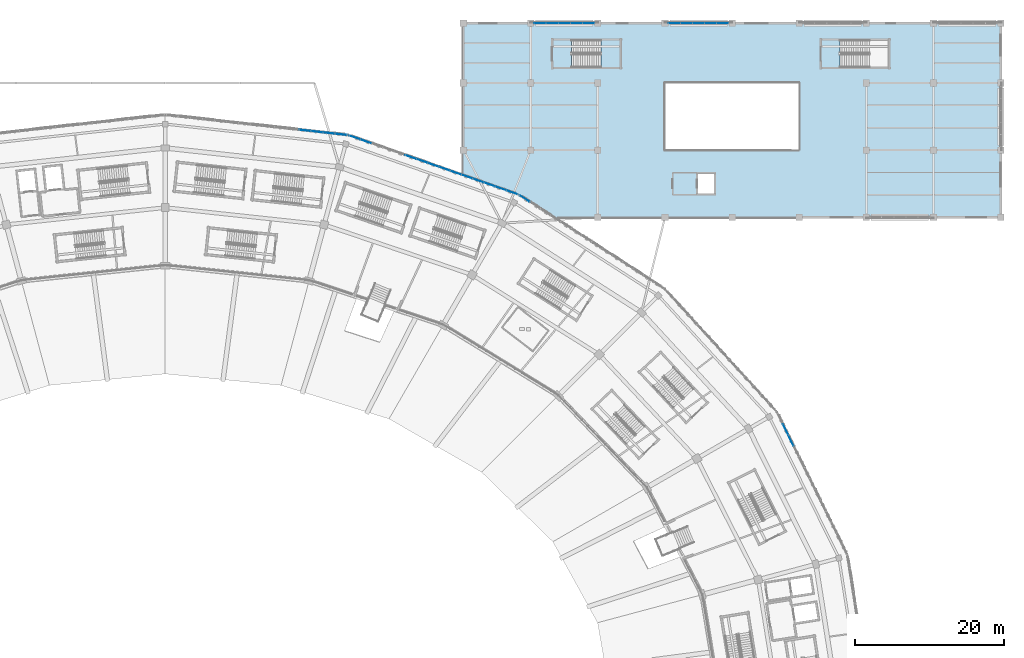
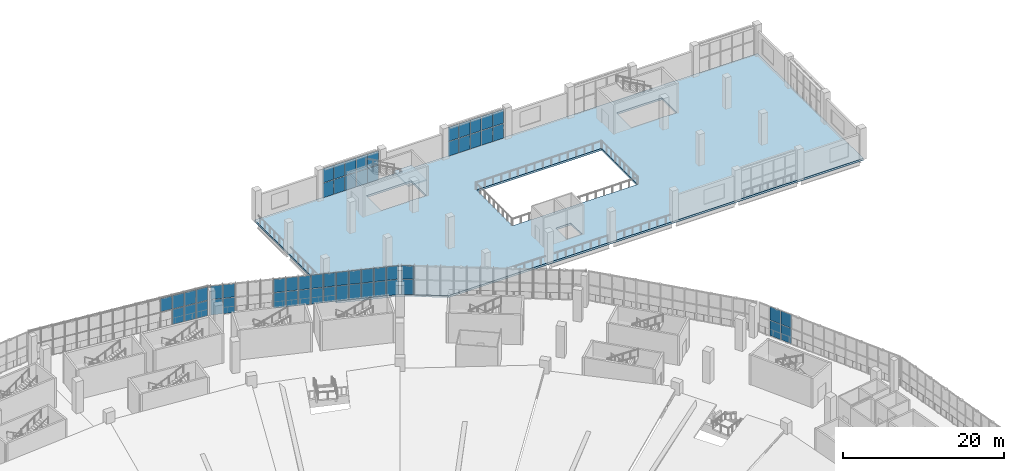
# One storey, part 95 of 183: 57 plates, 2 slabs, 7 elements without a shape of their own.
"""IFC4 building model written with IfcOpenShell, lengths in metres."""

from ifc_helpers import new_model, si_unit, direction, frame, origin, origin_2d, place, context, subcontext, project, spatial, polyline, rectangle, outline, extrude, material, layer, layer_set, type_object, element, aggregate, save


model = new_model("IFC4")

# Units and contexts
model_context = context("Model", 3, precision=1e-05, world=origin(), true_north=direction((0.0, 1.0)))
body_context = subcontext(model_context, "Body", "Model", "MODEL_VIEW")
ifc_project = project(units=[si_unit("LENGTHUNIT", "METRE"), si_unit("AREAUNIT", "SQUARE_METRE"), si_unit("VOLUMEUNIT", "CUBIC_METRE"), si_unit("PLANEANGLEUNIT", "RADIAN"), si_unit("MASSUNIT", "GRAM", prefix="KILO")], contexts=[model_context])

# Site, building, storey
site_placement = place(None, origin())
site = spatial("IfcSite", under=ifc_project, at=site_placement, CompositionType="ELEMENT")
building_placement = place(site_placement, origin())
building = spatial("IfcBuilding", under=site, at=building_placement, Name="Zevraka Park Crest Stadium", CompositionType="ELEMENT")
storey_placement = place(building_placement, frame((0.0, 0.0, 5.39990234375)))
storey = spatial("IfcBuildingStorey", under=building, at=storey_placement, Name="L01", CompositionType="ELEMENT", Elevation=5.39990234375)

# Curtain wall, plates
ifc_material_1 = material(Name="Anodised architectural aluminium and laminated safety glass", Category="aluminium")
curtain_wall_type_1 = type_object("IfcCurtainWallType", Name="CW01", PredefinedType="NOTDEFINED", material=ifc_material_1)
curtain_wall_1_placement = place(storey_placement, origin())
curtain_wall_1 = element("IfcCurtainWall", 1, at=curtain_wall_1_placement, inside=storey, type_object=curtain_wall_type_1, Name="Unitised Ring Curtain Wall CW01 L01-05", PredefinedType="NOTDEFINED")
ifc_material_2 = material(Name="Solar-control laminated double glazing", Category="glass")
ifc_layer_1 = layer(ifc_material_2, 0.028076171875)
ifc_layer_set_1 = layer_set([ifc_layer_1], Name="Solar-control laminated double glazing")
plate_type_1 = type_object("IfcPlateType", Name="CP01", PredefinedType="CURTAIN_PANEL", material=ifc_layer_set_1)
plate_1_placement = place(storey_placement, frame((135.564453125, 169.108154296875, 0.06005859375), z_axis=(0.0, 0.0, 1.0), x_axis=(-0.993916668414, 0.110134718639, 0.0)))
plate_1 = element("IfcPlate", 2, at=plate_1_placement, type_object=plate_type_1, Name="CW01 panel 1.1", PredefinedType="CURTAIN_PANEL", context=body_context, shape_type="SweptSolid", body=[
    extrude(rectangle(XDim=1.537109375, YDim=0.028076171875, at=origin_2d()), origin(), (0.0, 0.0, 1.0), 2.31005859375),
])
plate_2_placement = place(storey_placement, frame((135.564453125, 169.108154296875, 2.43017578125), z_axis=(0.0, 0.0, 1.0), x_axis=(-0.993916668414, 0.110134718639, 0.0)))
plate_2 = element("IfcPlate", 3, at=plate_2_placement, type_object=plate_type_1, Name="CW01 panel 1.2", PredefinedType="CURTAIN_PANEL", context=body_context, shape_type="SweptSolid", body=[
    extrude(rectangle(XDim=1.537109375, YDim=0.028076171875, at=origin_2d()), origin(), (0.0, 0.0, 1.0), 2.030029296875),
])
plate_3_placement = place(storey_placement, frame((133.962158203125, 169.285888671875, 0.06005859375), z_axis=(0.0, 0.0, 1.0), x_axis=(-0.993916668414, 0.110134718639, 0.0)))
plate_3 = element("IfcPlate", 4, at=plate_3_placement, type_object=plate_type_1, Name="CW01 panel 2.1", PredefinedType="CURTAIN_PANEL", context=body_context, shape_type="SweptSolid", body=[
    extrude(rectangle(XDim=1.567138671875, YDim=0.028076171875, at=origin_2d()), origin(), (0.0, 0.0, 1.0), 2.31005859375),
])
plate_4_placement = place(storey_placement, frame((133.962158203125, 169.285888671875, 2.43017578125), z_axis=(0.0, 0.0, 1.0), x_axis=(-0.993916668414, 0.110134718639, 0.0)))
plate_4 = element("IfcPlate", 5, at=plate_4_placement, type_object=plate_type_1, Name="CW01 panel 2.2", PredefinedType="CURTAIN_PANEL", context=body_context, shape_type="SweptSolid", body=[
    extrude(rectangle(XDim=1.567138671875, YDim=0.028076171875, at=origin_2d()), origin(), (0.0, 0.0, 1.0), 2.030029296875),
])
plate_5_placement = place(storey_placement, frame((132.344970703125, 169.465087890625, 0.06005859375), z_axis=(0.0, 0.0, 1.0), x_axis=(-0.993916668414, 0.110134718639, 0.0)))
plate_5 = element("IfcPlate", 6, at=plate_5_placement, type_object=plate_type_1, Name="CW01 panel 3.1", PredefinedType="CURTAIN_PANEL", context=body_context, shape_type="SweptSolid", body=[
    extrude(rectangle(XDim=1.567138671875, YDim=0.028076171875, at=origin_2d()), origin(), (0.0, 0.0, 1.0), 2.31005859375),
])
plate_6_placement = place(storey_placement, frame((132.344970703125, 169.465087890625, 2.43017578125), z_axis=(0.0, 0.0, 1.0), x_axis=(-0.993916668414, 0.110134718639, 0.0)))
plate_6 = element("IfcPlate", 7, at=plate_6_placement, type_object=plate_type_1, Name="CW01 panel 3.2", PredefinedType="CURTAIN_PANEL", context=body_context, shape_type="SweptSolid", body=[
    extrude(rectangle(XDim=1.567138671875, YDim=0.028076171875, at=origin_2d()), origin(), (0.0, 0.0, 1.0), 2.030029296875),
])
plate_7_placement = place(storey_placement, frame((130.727783203125, 169.644287109375, 2.43017578125), z_axis=(0.0, 0.0, 1.0), x_axis=(-0.993916668414, 0.110134718639, 0.0)))
plate_7 = element("IfcPlate", 8, at=plate_7_placement, type_object=plate_type_1, Name="CW01 panel 4.2", PredefinedType="CURTAIN_PANEL", context=body_context, shape_type="SweptSolid", body=[
    extrude(rectangle(XDim=1.567138671875, YDim=0.028076171875, at=origin_2d()), origin(), (0.0, 0.0, 1.0), 2.030029296875),
])
aggregate(curtain_wall_1, [plate_1, plate_2, plate_3, plate_4, plate_5, plate_6, plate_7])

ifc_material_3 = material(Name="Anodised architectural aluminium and laminated safety glass", Category="aluminium")
curtain_wall_type_2 = type_object("IfcCurtainWallType", Name="CW02", PredefinedType="NOTDEFINED", material=ifc_material_3)
curtain_wall_2_placement = place(storey_placement, origin())
curtain_wall_2 = element("IfcCurtainWall", 9, at=curtain_wall_2_placement, inside=storey, type_object=curtain_wall_type_2, Name="Unitised Ring Curtain Wall CW02 L01-01", PredefinedType="NOTDEFINED")
ifc_material_4 = material(Name="Solar-control laminated double glazing", Category="glass")
ifc_layer_2 = layer(ifc_material_4, 0.028076171875)
ifc_layer_set_2 = layer_set([ifc_layer_2], Name="Solar-control laminated double glazing")
plate_type_2 = type_object("IfcPlateType", Name="CP02", PredefinedType="CURTAIN_PANEL", material=ifc_layer_set_2)
plate_8_placement = place(storey_placement, frame((195.886474609375, 128.086181640625, 0.06494140625), z_axis=(0.0, 0.0, 1.0), x_axis=(-0.44151730924, 0.897252732312, 0.0)))
plate_8 = element("IfcPlate", 10, at=plate_8_placement, type_object=plate_type_2, Name="CW02 panel 11.1", PredefinedType="CURTAIN_PANEL", context=body_context, shape_type="SweptSolid", body=[
    extrude(rectangle(XDim=1.5634765625, YDim=0.028076171875, at=origin_2d()), origin(), (0.0, 0.0, 1.0), 2.302490234375),
])
plate_9_placement = place(storey_placement, frame((195.886474609375, 128.086181640625, 2.4326171875), z_axis=(0.0, 0.0, 1.0), x_axis=(-0.44151730924, 0.897252732312, 0.0)))
plate_9 = element("IfcPlate", 11, at=plate_9_placement, type_object=plate_type_2, Name="CW02 panel 11.2", PredefinedType="CURTAIN_PANEL", context=body_context, shape_type="SweptSolid", body=[
    extrude(rectangle(XDim=1.5634765625, YDim=0.028076171875, at=origin_2d()), origin(), (0.0, 0.0, 1.0), 2.0224609375),
])
plate_10_placement = place(storey_placement, frame((195.16748046875, 129.54736328125, 0.06494140625), z_axis=(0.0, 0.0, 1.0), x_axis=(-0.44151730924, 0.897252732312, 0.0)))
plate_10 = element("IfcPlate", 12, at=plate_10_placement, type_object=plate_type_2, Name="CW02 panel 12.1", PredefinedType="CURTAIN_PANEL", context=body_context, shape_type="SweptSolid", body=[
    extrude(rectangle(XDim=1.5634765625, YDim=0.028076171875, at=origin_2d()), origin(), (0.0, 0.0, 1.0), 2.302490234375),
])
plate_11_placement = place(storey_placement, frame((195.16748046875, 129.54736328125, 2.4326171875), z_axis=(0.0, 0.0, 1.0), x_axis=(-0.44151730924, 0.897252732312, 0.0)))
plate_11 = element("IfcPlate", 13, at=plate_11_placement, type_object=plate_type_2, Name="CW02 panel 12.2", PredefinedType="CURTAIN_PANEL", context=body_context, shape_type="SweptSolid", body=[
    extrude(rectangle(XDim=1.5634765625, YDim=0.028076171875, at=origin_2d()), origin(), (0.0, 0.0, 1.0), 2.0224609375),
])
aggregate(curtain_wall_2, [plate_8, plate_9, plate_10, plate_11])

curtain_wall_3_placement = place(storey_placement, origin())
curtain_wall_3 = element("IfcCurtainWall", 14, at=curtain_wall_3_placement, inside=storey, type_object=curtain_wall_type_2, Name="Unitised Ring Curtain Wall CW02 L01-04", PredefinedType="NOTDEFINED")
plate_12_placement = place(storey_placement, frame((158.472412109375, 161.347900390625, 0.06494140625), z_axis=(0.0, 0.0, 1.0), x_axis=(-0.944256979565, 0.329209289879, 0.0)))
plate_12 = element("IfcPlate", 15, at=plate_12_placement, type_object=plate_type_2, Name="CW02 panel 1.1", PredefinedType="CURTAIN_PANEL", context=body_context, shape_type="SweptSolid", body=[
    extrude(rectangle(XDim=1.498046875, YDim=0.028076171875, at=origin_2d()), origin(), (0.0, 0.0, 1.0), 2.302490234375),
])
plate_13_placement = place(storey_placement, frame((158.472412109375, 161.347900390625, 2.4326171875), z_axis=(0.0, 0.0, 1.0), x_axis=(-0.944256979565, 0.329209289879, 0.0)))
plate_13 = element("IfcPlate", 16, at=plate_13_placement, type_object=plate_type_2, Name="CW02 panel 1.2", PredefinedType="CURTAIN_PANEL", context=body_context, shape_type="SweptSolid", body=[
    extrude(rectangle(XDim=1.498046875, YDim=0.028076171875, at=origin_2d()), origin(), (0.0, 0.0, 1.0), 2.0224609375),
])
plate_14_placement = place(storey_placement, frame((156.981201171875, 161.867919921875, 0.06494140625), z_axis=(0.0, 0.0, 1.0), x_axis=(-0.944256979565, 0.329209289879, 0.0)))
plate_14 = element("IfcPlate", 17, at=plate_14_placement, type_object=plate_type_2, Name="CW02 panel 2.1", PredefinedType="CURTAIN_PANEL", context=body_context, shape_type="SweptSolid", body=[
    extrude(rectangle(XDim=1.530517578125, YDim=0.028076171875, at=origin_2d()), origin(), (0.0, 0.0, 1.0), 2.302490234375),
])
plate_15_placement = place(storey_placement, frame((156.981201171875, 161.867919921875, 2.4326171875), z_axis=(0.0, 0.0, 1.0), x_axis=(-0.944256979565, 0.329209289879, 0.0)))
plate_15 = element("IfcPlate", 18, at=plate_15_placement, type_object=plate_type_2, Name="CW02 panel 2.2", PredefinedType="CURTAIN_PANEL", context=body_context, shape_type="SweptSolid", body=[
    extrude(rectangle(XDim=1.530517578125, YDim=0.028076171875, at=origin_2d()), origin(), (0.0, 0.0, 1.0), 2.0224609375),
])
plate_16_placement = place(storey_placement, frame((155.474609375, 162.39306640625, 0.06494140625), z_axis=(0.0, 0.0, 1.0), x_axis=(-0.944256979565, 0.329209289879, 0.0)))
plate_16 = element("IfcPlate", 19, at=plate_16_placement, type_object=plate_type_2, Name="CW02 panel 3.1", PredefinedType="CURTAIN_PANEL", context=body_context, shape_type="SweptSolid", body=[
    extrude(rectangle(XDim=1.530517578125, YDim=0.028076171875, at=origin_2d()), origin(), (0.0, 0.0, 1.0), 2.302490234375),
])
plate_17_placement = place(storey_placement, frame((155.474609375, 162.39306640625, 2.4326171875), z_axis=(0.0, 0.0, 1.0), x_axis=(-0.944256979565, 0.329209289879, 0.0)))
plate_17 = element("IfcPlate", 20, at=plate_17_placement, type_object=plate_type_2, Name="CW02 panel 3.2", PredefinedType="CURTAIN_PANEL", context=body_context, shape_type="SweptSolid", body=[
    extrude(rectangle(XDim=1.530517578125, YDim=0.028076171875, at=origin_2d()), origin(), (0.0, 0.0, 1.0), 2.0224609375),
])
plate_18_placement = place(storey_placement, frame((153.968017578125, 162.91845703125, 0.06494140625), z_axis=(0.0, 0.0, 1.0), x_axis=(-0.944256979565, 0.329209289879, 0.0)))
plate_18 = element("IfcPlate", 21, at=plate_18_placement, type_object=plate_type_2, Name="CW02 panel 4.1", PredefinedType="CURTAIN_PANEL", context=body_context, shape_type="SweptSolid", body=[
    extrude(rectangle(XDim=1.530517578125, YDim=0.028076171875, at=origin_2d()), origin(), (0.0, 0.0, 1.0), 2.302490234375),
])
plate_19_placement = place(storey_placement, frame((153.968017578125, 162.91845703125, 2.4326171875), z_axis=(0.0, 0.0, 1.0), x_axis=(-0.944256979565, 0.329209289879, 0.0)))
plate_19 = element("IfcPlate", 22, at=plate_19_placement, type_object=plate_type_2, Name="CW02 panel 4.2", PredefinedType="CURTAIN_PANEL", context=body_context, shape_type="SweptSolid", body=[
    extrude(rectangle(XDim=1.530517578125, YDim=0.028076171875, at=origin_2d()), origin(), (0.0, 0.0, 1.0), 2.0224609375),
])
plate_20_placement = place(storey_placement, frame((152.461181640625, 163.443603515625, 0.06494140625), z_axis=(0.0, 0.0, 1.0), x_axis=(-0.944256979565, 0.329209289879, 0.0)))
plate_20 = element("IfcPlate", 23, at=plate_20_placement, type_object=plate_type_2, Name="CW02 panel 5.1", PredefinedType="CURTAIN_PANEL", context=body_context, shape_type="SweptSolid", body=[
    extrude(rectangle(XDim=1.530517578125, YDim=0.028076171875, at=origin_2d()), origin(), (0.0, 0.0, 1.0), 2.302490234375),
])
plate_21_placement = place(storey_placement, frame((152.461181640625, 163.443603515625, 2.4326171875), z_axis=(0.0, 0.0, 1.0), x_axis=(-0.944256979565, 0.329209289879, 0.0)))
plate_21 = element("IfcPlate", 24, at=plate_21_placement, type_object=plate_type_2, Name="CW02 panel 5.2", PredefinedType="CURTAIN_PANEL", context=body_context, shape_type="SweptSolid", body=[
    extrude(rectangle(XDim=1.530517578125, YDim=0.028076171875, at=origin_2d()), origin(), (0.0, 0.0, 1.0), 2.0224609375),
])
plate_22_placement = place(storey_placement, frame((150.95458984375, 163.968994140625, 0.06494140625), z_axis=(0.0, 0.0, 1.0), x_axis=(-0.944256979565, 0.329209289879, 0.0)))
plate_22 = element("IfcPlate", 25, at=plate_22_placement, type_object=plate_type_2, Name="CW02 panel 6.1", PredefinedType="CURTAIN_PANEL", context=body_context, shape_type="SweptSolid", body=[
    extrude(rectangle(XDim=1.530517578125, YDim=0.028076171875, at=origin_2d()), origin(), (0.0, 0.0, 1.0), 2.302490234375),
])
plate_23_placement = place(storey_placement, frame((150.95458984375, 163.968994140625, 2.4326171875), z_axis=(0.0, 0.0, 1.0), x_axis=(-0.944256979565, 0.329209289879, 0.0)))
plate_23 = element("IfcPlate", 26, at=plate_23_placement, type_object=plate_type_2, Name="CW02 panel 6.2", PredefinedType="CURTAIN_PANEL", context=body_context, shape_type="SweptSolid", body=[
    extrude(rectangle(XDim=1.530517578125, YDim=0.028076171875, at=origin_2d()), origin(), (0.0, 0.0, 1.0), 2.0224609375),
])
plate_24_placement = place(storey_placement, frame((149.447998046875, 164.494140625, 0.06494140625), z_axis=(0.0, 0.0, 1.0), x_axis=(-0.944256979565, 0.329209289879, 0.0)))
plate_24 = element("IfcPlate", 27, at=plate_24_placement, type_object=plate_type_2, Name="CW02 panel 7.1", PredefinedType="CURTAIN_PANEL", context=body_context, shape_type="SweptSolid", body=[
    extrude(rectangle(XDim=1.530517578125, YDim=0.028076171875, at=origin_2d()), origin(), (0.0, 0.0, 1.0), 2.302490234375),
])
plate_25_placement = place(storey_placement, frame((149.447998046875, 164.494140625, 2.4326171875), z_axis=(0.0, 0.0, 1.0), x_axis=(-0.944256979565, 0.329209289879, 0.0)))
plate_25 = element("IfcPlate", 28, at=plate_25_placement, type_object=plate_type_2, Name="CW02 panel 7.2", PredefinedType="CURTAIN_PANEL", context=body_context, shape_type="SweptSolid", body=[
    extrude(rectangle(XDim=1.530517578125, YDim=0.028076171875, at=origin_2d()), origin(), (0.0, 0.0, 1.0), 2.0224609375),
])
plate_26_placement = place(storey_placement, frame((147.94140625, 165.01953125, 0.06494140625), z_axis=(0.0, 0.0, 1.0), x_axis=(-0.944256979565, 0.329209289879, 0.0)))
plate_26 = element("IfcPlate", 29, at=plate_26_placement, type_object=plate_type_2, Name="CW02 panel 8.1", PredefinedType="CURTAIN_PANEL", context=body_context, shape_type="SweptSolid", body=[
    extrude(rectangle(XDim=1.530517578125, YDim=0.028076171875, at=origin_2d()), origin(), (0.0, 0.0, 1.0), 2.302490234375),
])
plate_27_placement = place(storey_placement, frame((147.94140625, 165.01953125, 2.4326171875), z_axis=(0.0, 0.0, 1.0), x_axis=(-0.944256979565, 0.329209289879, 0.0)))
plate_27 = element("IfcPlate", 30, at=plate_27_placement, type_object=plate_type_2, Name="CW02 panel 8.2", PredefinedType="CURTAIN_PANEL", context=body_context, shape_type="SweptSolid", body=[
    extrude(rectangle(XDim=1.530517578125, YDim=0.028076171875, at=origin_2d()), origin(), (0.0, 0.0, 1.0), 2.0224609375),
])
plate_28_placement = place(storey_placement, frame((146.434814453125, 165.544677734375, 0.06494140625), z_axis=(0.0, 0.0, 1.0), x_axis=(-0.944256979565, 0.329209289879, 0.0)))
plate_28 = element("IfcPlate", 31, at=plate_28_placement, type_object=plate_type_2, Name="CW02 panel 9.1", PredefinedType="CURTAIN_PANEL", context=body_context, shape_type="SweptSolid", body=[
    extrude(rectangle(XDim=1.530517578125, YDim=0.028076171875, at=origin_2d()), origin(), (0.0, 0.0, 1.0), 2.302490234375),
])
plate_29_placement = place(storey_placement, frame((146.434814453125, 165.544677734375, 2.4326171875), z_axis=(0.0, 0.0, 1.0), x_axis=(-0.944256979565, 0.329209289879, 0.0)))
plate_29 = element("IfcPlate", 32, at=plate_29_placement, type_object=plate_type_2, Name="CW02 panel 9.2", PredefinedType="CURTAIN_PANEL", context=body_context, shape_type="SweptSolid", body=[
    extrude(rectangle(XDim=1.530517578125, YDim=0.028076171875, at=origin_2d()), origin(), (0.0, 0.0, 1.0), 2.0224609375),
])
plate_30_placement = place(storey_placement, frame((144.92822265625, 166.070068359375, 0.06494140625), z_axis=(0.0, 0.0, 1.0), x_axis=(-0.944256979565, 0.329209289879, 0.0)))
plate_30 = element("IfcPlate", 33, at=plate_30_placement, type_object=plate_type_2, Name="CW02 panel 10.1", PredefinedType="CURTAIN_PANEL", context=body_context, shape_type="SweptSolid", body=[
    extrude(rectangle(XDim=1.530517578125, YDim=0.028076171875, at=origin_2d()), origin(), (0.0, 0.0, 1.0), 2.302490234375),
])
plate_31_placement = place(storey_placement, frame((144.92822265625, 166.070068359375, 2.4326171875), z_axis=(0.0, 0.0, 1.0), x_axis=(-0.944256979565, 0.329209289879, 0.0)))
plate_31 = element("IfcPlate", 34, at=plate_31_placement, type_object=plate_type_2, Name="CW02 panel 10.2", PredefinedType="CURTAIN_PANEL", context=body_context, shape_type="SweptSolid", body=[
    extrude(rectangle(XDim=1.530517578125, YDim=0.028076171875, at=origin_2d()), origin(), (0.0, 0.0, 1.0), 2.0224609375),
])
plate_32_placement = place(storey_placement, frame((138.90185546875, 168.171142578125, 0.06494140625), z_axis=(0.0, 0.0, 1.0), x_axis=(-0.944256979565, 0.329209289879, 0.0)))
plate_32 = element("IfcPlate", 35, at=plate_32_placement, type_object=plate_type_2, Name="CW02 panel 14.1", PredefinedType="CURTAIN_PANEL", context=body_context, shape_type="SweptSolid", body=[
    extrude(rectangle(XDim=1.530517578125, YDim=0.028076171875, at=origin_2d()), origin(), (0.0, 0.0, 1.0), 2.302490234375),
])
plate_33_placement = place(storey_placement, frame((138.90185546875, 168.171142578125, 2.4326171875), z_axis=(0.0, 0.0, 1.0), x_axis=(-0.944256979565, 0.329209289879, 0.0)))
plate_33 = element("IfcPlate", 36, at=plate_33_placement, type_object=plate_type_2, Name="CW02 panel 14.2", PredefinedType="CURTAIN_PANEL", context=body_context, shape_type="SweptSolid", body=[
    extrude(rectangle(XDim=1.530517578125, YDim=0.028076171875, at=origin_2d()), origin(), (0.0, 0.0, 1.0), 2.0224609375),
])
plate_34_placement = place(storey_placement, frame((137.41064453125, 168.69091796875, 0.06494140625), z_axis=(0.0, 0.0, 1.0), x_axis=(-0.944256979565, 0.329209289879, 0.0)))
plate_34 = element("IfcPlate", 37, at=plate_34_placement, type_object=plate_type_2, Name="CW02 panel 15.1", PredefinedType="CURTAIN_PANEL", context=body_context, shape_type="SweptSolid", body=[
    extrude(rectangle(XDim=1.498046875, YDim=0.028076171875, at=origin_2d()), origin(), (0.0, 0.0, 1.0), 2.302490234375),
])
plate_35_placement = place(storey_placement, frame((137.41064453125, 168.69091796875, 2.4326171875), z_axis=(0.0, 0.0, 1.0), x_axis=(-0.944256979565, 0.329209289879, 0.0)))
plate_35 = element("IfcPlate", 38, at=plate_35_placement, type_object=plate_type_2, Name="CW02 panel 15.2", PredefinedType="CURTAIN_PANEL", context=body_context, shape_type="SweptSolid", body=[
    extrude(rectangle(XDim=1.498046875, YDim=0.028076171875, at=origin_2d()), origin(), (0.0, 0.0, 1.0), 2.0224609375),
])
aggregate(curtain_wall_3, [plate_12, plate_13, plate_14, plate_15, plate_16, plate_17, plate_18, plate_19, plate_20, plate_21, plate_22, plate_23, plate_24, plate_25, plate_26, plate_27, plate_28, plate_29, plate_30, plate_31, plate_32, plate_33, plate_34, plate_35])

ifc_material_5 = material(Name="Anodised architectural aluminium and laminated safety glass", Category="aluminium")
curtain_wall_type_3 = type_object("IfcCurtainWallType", Name="CW03", PredefinedType="NOTDEFINED", material=ifc_material_5)
curtain_wall_4_placement = place(storey_placement, origin())
curtain_wall_4 = element("IfcCurtainWall", 39, at=curtain_wall_4_placement, inside=storey, type_object=curtain_wall_type_3, Name="Unitised Ring Curtain Wall CW03 L01-03", PredefinedType="NOTDEFINED")
ifc_material_6 = material(Name="Solar-control laminated double glazing", Category="glass")
ifc_layer_3 = layer(ifc_material_6, 0.028076171875)
ifc_layer_set_3 = layer_set([ifc_layer_3], Name="Solar-control laminated double glazing")
plate_type_3 = type_object("IfcPlateType", Name="CP03", PredefinedType="CURTAIN_PANEL", material=ifc_layer_set_3)
plate_36_placement = place(storey_placement, frame((160.181640625, 160.509033203125, 0.070068359375), z_axis=(0.0, 0.0, 1.0), x_axis=(-0.840010186018, 0.542570628938, 0.0)))
plate_36 = element("IfcPlate", 40, at=plate_36_placement, type_object=plate_type_3, Name="CW03 panel 14.1", PredefinedType="CURTAIN_PANEL", context=body_context, shape_type="SweptSolid", body=[
    extrude(rectangle(XDim=1.54443359375, YDim=0.028076171875, at=origin_2d()), origin(), (0.0, 0.0, 1.0), 2.294921875),
])
plate_37_placement = place(storey_placement, frame((160.181640625, 160.509033203125, 2.43505859375), z_axis=(0.0, 0.0, 1.0), x_axis=(-0.840010186018, 0.542570628938, 0.0)))
plate_37 = element("IfcPlate", 41, at=plate_37_placement, type_object=plate_type_3, Name="CW03 panel 14.2", PredefinedType="CURTAIN_PANEL", context=body_context, shape_type="SweptSolid", body=[
    extrude(rectangle(XDim=1.54443359375, YDim=0.028076171875, at=origin_2d()), origin(), (0.0, 0.0, 1.0), 2.014892578125),
])
aggregate(curtain_wall_4, [plate_36, plate_37])

ifc_material_7 = material(Name="Anodised architectural aluminium and laminated safety glass", Category="aluminium")
curtain_wall_type_4 = type_object("IfcCurtainWallType", Name="CW28", PredefinedType="NOTDEFINED", material=ifc_material_7)
curtain_wall_5_placement = place(storey_placement, origin())
curtain_wall_5 = element("IfcCurtainWall", 42, at=curtain_wall_5_placement, inside=storey, type_object=curtain_wall_type_4, Name="Wing Curtain Wall CW28 L01-NGATE-N-2", PredefinedType="NOTDEFINED")
ifc_material_8 = material(Name="Solar-control laminated double glazing", Category="glass")
ifc_layer_4 = layer(ifc_material_8, 0.035888671875)
ifc_layer_set_4 = layer_set([ifc_layer_4], Name="Solar-control laminated double glazing")
plate_type_4 = type_object("IfcPlateType", Name="CP28", PredefinedType="CURTAIN_PANEL", material=ifc_layer_set_4)
plate_38_placement = place(storey_placement, frame((162.26708984375, 184.0, 0.06005859375), z_axis=(0.0, 0.0, 1.0), x_axis=(1.0, 0.0, 0.0)))
plate_38 = element("IfcPlate", 43, at=plate_38_placement, type_object=plate_type_4, Name="CW28 panel 1.1", PredefinedType="CURTAIN_PANEL", context=body_context, shape_type="SweptSolid", body=[
    extrude(rectangle(XDim=1.533935546875, YDim=0.035888671875, at=origin_2d()), origin(), (0.0, 0.0, 1.0), 2.2099609375),
])
plate_39_placement = place(storey_placement, frame((162.26708984375, 184.0, 2.330078125), z_axis=(0.0, 0.0, 1.0), x_axis=(1.0, 0.0, 0.0)))
plate_39 = element("IfcPlate", 44, at=plate_39_placement, type_object=plate_type_4, Name="CW28 panel 1.2", PredefinedType="CURTAIN_PANEL", context=body_context, shape_type="SweptSolid", body=[
    extrude(rectangle(XDim=1.533935546875, YDim=0.035888671875, at=origin_2d()), origin(), (0.0, 0.0, 1.0), 2.1298828125),
])
plate_40_placement = place(storey_placement, frame((163.8759765625, 184.0, 0.06005859375), z_axis=(0.0, 0.0, 1.0), x_axis=(1.0, 0.0, 0.0)))
plate_40 = element("IfcPlate", 45, at=plate_40_placement, type_object=plate_type_4, Name="CW28 panel 2.1", PredefinedType="CURTAIN_PANEL", context=body_context, shape_type="SweptSolid", body=[
    extrude(rectangle(XDim=1.56396484375, YDim=0.035888671875, at=origin_2d()), origin(), (0.0, 0.0, 1.0), 2.2099609375),
])
plate_41_placement = place(storey_placement, frame((163.8759765625, 184.0, 2.330078125), z_axis=(0.0, 0.0, 1.0), x_axis=(1.0, 0.0, 0.0)))
plate_41 = element("IfcPlate", 46, at=plate_41_placement, type_object=plate_type_4, Name="CW28 panel 2.2", PredefinedType="CURTAIN_PANEL", context=body_context, shape_type="SweptSolid", body=[
    extrude(rectangle(XDim=1.56396484375, YDim=0.035888671875, at=origin_2d()), origin(), (0.0, 0.0, 1.0), 2.1298828125),
])
plate_42_placement = place(storey_placement, frame((165.5, 184.0, 0.06005859375), z_axis=(0.0, 0.0, 1.0), x_axis=(1.0, 0.0, 0.0)))
plate_42 = element("IfcPlate", 47, at=plate_42_placement, type_object=plate_type_4, Name="CW28 panel 3.1", PredefinedType="CURTAIN_PANEL", context=body_context, shape_type="SweptSolid", body=[
    extrude(rectangle(XDim=1.56396484375, YDim=0.035888671875, at=origin_2d()), origin(), (0.0, 0.0, 1.0), 2.2099609375),
])
plate_43_placement = place(storey_placement, frame((165.5, 184.0, 2.330078125), z_axis=(0.0, 0.0, 1.0), x_axis=(1.0, 0.0, 0.0)))
plate_43 = element("IfcPlate", 48, at=plate_43_placement, type_object=plate_type_4, Name="CW28 panel 3.2", PredefinedType="CURTAIN_PANEL", context=body_context, shape_type="SweptSolid", body=[
    extrude(rectangle(XDim=1.56396484375, YDim=0.035888671875, at=origin_2d()), origin(), (0.0, 0.0, 1.0), 2.1298828125),
])
plate_44_placement = place(storey_placement, frame((167.1240234375, 184.0, 0.06005859375), z_axis=(0.0, 0.0, 1.0), x_axis=(1.0, 0.0, 0.0)))
plate_44 = element("IfcPlate", 49, at=plate_44_placement, type_object=plate_type_4, Name="CW28 panel 4.1", PredefinedType="CURTAIN_PANEL", context=body_context, shape_type="SweptSolid", body=[
    extrude(rectangle(XDim=1.56396484375, YDim=0.035888671875, at=origin_2d()), origin(), (0.0, 0.0, 1.0), 2.2099609375),
])
plate_45_placement = place(storey_placement, frame((167.1240234375, 184.0, 2.330078125), z_axis=(0.0, 0.0, 1.0), x_axis=(1.0, 0.0, 0.0)))
plate_45 = element("IfcPlate", 50, at=plate_45_placement, type_object=plate_type_4, Name="CW28 panel 4.2", PredefinedType="CURTAIN_PANEL", context=body_context, shape_type="SweptSolid", body=[
    extrude(rectangle(XDim=1.56396484375, YDim=0.035888671875, at=origin_2d()), origin(), (0.0, 0.0, 1.0), 2.1298828125),
])
plate_46_placement = place(storey_placement, frame((168.73291015625, 184.0, 0.06005859375), z_axis=(0.0, 0.0, 1.0), x_axis=(1.0, 0.0, 0.0)))
plate_46 = element("IfcPlate", 51, at=plate_46_placement, type_object=plate_type_4, Name="CW28 panel 5.1", PredefinedType="CURTAIN_PANEL", context=body_context, shape_type="SweptSolid", body=[
    extrude(rectangle(XDim=1.533935546875, YDim=0.035888671875, at=origin_2d()), origin(), (0.0, 0.0, 1.0), 2.2099609375),
])
plate_47_placement = place(storey_placement, frame((168.73291015625, 184.0, 2.330078125), z_axis=(0.0, 0.0, 1.0), x_axis=(1.0, 0.0, 0.0)))
plate_47 = element("IfcPlate", 52, at=plate_47_placement, type_object=plate_type_4, Name="CW28 panel 5.2", PredefinedType="CURTAIN_PANEL", context=body_context, shape_type="SweptSolid", body=[
    extrude(rectangle(XDim=1.533935546875, YDim=0.035888671875, at=origin_2d()), origin(), (0.0, 0.0, 1.0), 2.1298828125),
])
aggregate(curtain_wall_5, [plate_38, plate_39, plate_40, plate_41, plate_42, plate_43, plate_44, plate_45, plate_46, plate_47])

ifc_material_9 = material(Name="Anodised architectural aluminium and laminated safety glass", Category="aluminium")
curtain_wall_type_5 = type_object("IfcCurtainWallType", Name="CW30", PredefinedType="NOTDEFINED", material=ifc_material_9)
curtain_wall_6_placement = place(storey_placement, origin())
curtain_wall_6 = element("IfcCurtainWall", 53, at=curtain_wall_6_placement, inside=storey, type_object=curtain_wall_type_5, Name="Wing Curtain Wall CW30 L01-NGATE-N-4", PredefinedType="NOTDEFINED")
ifc_material_10 = material(Name="Solar-control laminated double glazing", Category="glass")
ifc_layer_5 = layer(ifc_material_10, 0.035888671875)
ifc_layer_set_5 = layer_set([ifc_layer_5], Name="Solar-control laminated double glazing")
plate_type_5 = type_object("IfcPlateType", Name="CP30", PredefinedType="CURTAIN_PANEL", material=ifc_layer_set_5)
plate_48_placement = place(storey_placement, frame((180.26953125, 184.0, 0.06982421875), z_axis=(0.0, 0.0, 1.0), x_axis=(1.0, 0.0, 0.0)))
plate_48 = element("IfcPlate", 54, at=plate_48_placement, type_object=plate_type_5, Name="CW30 panel 1.1", PredefinedType="CURTAIN_PANEL", context=body_context, shape_type="SweptSolid", body=[
    extrude(rectangle(XDim=1.51904296875, YDim=0.035888671875, at=origin_2d()), origin(), (0.0, 0.0, 1.0), 2.195068359375),
])
plate_49_placement = place(storey_placement, frame((180.26953125, 184.0, 2.3349609375), z_axis=(0.0, 0.0, 1.0), x_axis=(1.0, 0.0, 0.0)))
plate_49 = element("IfcPlate", 55, at=plate_49_placement, type_object=plate_type_5, Name="CW30 panel 1.2", PredefinedType="CURTAIN_PANEL", context=body_context, shape_type="SweptSolid", body=[
    extrude(rectangle(XDim=1.51904296875, YDim=0.035888671875, at=origin_2d()), origin(), (0.0, 0.0, 1.0), 2.114990234375),
])
plate_50_placement = place(storey_placement, frame((181.8759765625, 184.0, 0.06982421875), z_axis=(0.0, 0.0, 1.0), x_axis=(1.0, 0.0, 0.0)))
plate_50 = element("IfcPlate", 56, at=plate_50_placement, type_object=plate_type_5, Name="CW30 panel 2.1", PredefinedType="CURTAIN_PANEL", context=body_context, shape_type="SweptSolid", body=[
    extrude(rectangle(XDim=1.553955078125, YDim=0.035888671875, at=origin_2d()), origin(), (0.0, 0.0, 1.0), 2.195068359375),
])
plate_51_placement = place(storey_placement, frame((181.8759765625, 184.0, 2.3349609375), z_axis=(0.0, 0.0, 1.0), x_axis=(1.0, 0.0, 0.0)))
plate_51 = element("IfcPlate", 57, at=plate_51_placement, type_object=plate_type_5, Name="CW30 panel 2.2", PredefinedType="CURTAIN_PANEL", context=body_context, shape_type="SweptSolid", body=[
    extrude(rectangle(XDim=1.553955078125, YDim=0.035888671875, at=origin_2d()), origin(), (0.0, 0.0, 1.0), 2.114990234375),
])
plate_52_placement = place(storey_placement, frame((183.5, 184.0, 0.06982421875), z_axis=(0.0, 0.0, 1.0), x_axis=(1.0, 0.0, 0.0)))
plate_52 = element("IfcPlate", 58, at=plate_52_placement, type_object=plate_type_5, Name="CW30 panel 3.1", PredefinedType="CURTAIN_PANEL", context=body_context, shape_type="SweptSolid", body=[
    extrude(rectangle(XDim=1.553955078125, YDim=0.035888671875, at=origin_2d()), origin(), (0.0, 0.0, 1.0), 2.195068359375),
])
plate_53_placement = place(storey_placement, frame((183.5, 184.0, 2.3349609375), z_axis=(0.0, 0.0, 1.0), x_axis=(1.0, 0.0, 0.0)))
plate_53 = element("IfcPlate", 59, at=plate_53_placement, type_object=plate_type_5, Name="CW30 panel 3.2", PredefinedType="CURTAIN_PANEL", context=body_context, shape_type="SweptSolid", body=[
    extrude(rectangle(XDim=1.553955078125, YDim=0.035888671875, at=origin_2d()), origin(), (0.0, 0.0, 1.0), 2.114990234375),
])
plate_54_placement = place(storey_placement, frame((185.1240234375, 184.0, 0.06982421875), z_axis=(0.0, 0.0, 1.0), x_axis=(1.0, 0.0, 0.0)))
plate_54 = element("IfcPlate", 60, at=plate_54_placement, type_object=plate_type_5, Name="CW30 panel 4.1", PredefinedType="CURTAIN_PANEL", context=body_context, shape_type="SweptSolid", body=[
    extrude(rectangle(XDim=1.553955078125, YDim=0.035888671875, at=origin_2d()), origin(), (0.0, 0.0, 1.0), 2.195068359375),
])
plate_55_placement = place(storey_placement, frame((185.1240234375, 184.0, 2.3349609375), z_axis=(0.0, 0.0, 1.0), x_axis=(1.0, 0.0, 0.0)))
plate_55 = element("IfcPlate", 61, at=plate_55_placement, type_object=plate_type_5, Name="CW30 panel 4.2", PredefinedType="CURTAIN_PANEL", context=body_context, shape_type="SweptSolid", body=[
    extrude(rectangle(XDim=1.553955078125, YDim=0.035888671875, at=origin_2d()), origin(), (0.0, 0.0, 1.0), 2.114990234375),
])
plate_56_placement = place(storey_placement, frame((186.73046875, 184.0, 0.06982421875), z_axis=(0.0, 0.0, 1.0), x_axis=(1.0, 0.0, 0.0)))
plate_56 = element("IfcPlate", 62, at=plate_56_placement, type_object=plate_type_5, Name="CW30 panel 5.1", PredefinedType="CURTAIN_PANEL", context=body_context, shape_type="SweptSolid", body=[
    extrude(rectangle(XDim=1.51904296875, YDim=0.035888671875, at=origin_2d()), origin(), (0.0, 0.0, 1.0), 2.195068359375),
])
plate_57_placement = place(storey_placement, frame((186.73046875, 184.0, 2.3349609375), z_axis=(0.0, 0.0, 1.0), x_axis=(1.0, 0.0, 0.0)))
plate_57 = element("IfcPlate", 63, at=plate_57_placement, type_object=plate_type_5, Name="CW30 panel 5.2", PredefinedType="CURTAIN_PANEL", context=body_context, shape_type="SweptSolid", body=[
    extrude(rectangle(XDim=1.51904296875, YDim=0.035888671875, at=origin_2d()), origin(), (0.0, 0.0, 1.0), 2.114990234375),
])
aggregate(curtain_wall_6, [plate_48, plate_49, plate_50, plate_51, plate_52, plate_53, plate_54, plate_55, plate_56, plate_57])

# Slab
ifc_material_11 = material(Name="Concrete C35/45", Category="concrete")
ifc_layer_6 = layer(ifc_material_11, 0.2900390625)
ifc_layer_set_6 = layer_set([ifc_layer_6], Name="Concrete C35/45")
slab_type_1 = type_object("IfcSlabType", Name="FS05", PredefinedType="FLOOR", material=ifc_layer_set_6)
slab_1_placement = place(storey_placement, frame((0.0, 0.0, -0.2998046875)))
element("IfcSlab", 64, at=slab_1_placement, inside=storey, type_object=slab_type_1, Name="North Park Pointed-Arch Entrance Gate and Ticketing Pavilion Floor Slab L01-1", PredefinedType="FLOOR", context=body_context, shape_type="SweptSolid", body=[
    extrude(outline(polyline([(224.175048828125, 157.824951171875), (164.492919921875, 157.824951171875), (159.402099609375, 161.113037109375), (151.824951171875, 163.7548828125), (151.824951171875, 184.175048828125), (224.175048828125, 184.175048828125), (224.175048828125, 157.824951171875)]), holes=[polyline([(197.0, 176.0), (179.0, 176.0), (179.0, 167.0), (197.0, 167.0), (197.0, 176.0)]), polyline([(183.39990234375, 161.14990234375), (185.60009765625, 161.14990234375), (185.60009765625, 163.85009765625), (183.39990234375, 163.85009765625), (183.39990234375, 161.14990234375)]), polyline([(166.47998046875, 181.75), (166.47998046875, 178.090087890625), (173.0, 178.090087890625), (173.0, 181.75), (166.47998046875, 181.75)]), polyline([(202.47998046875, 181.75), (202.47998046875, 178.090087890625), (209.0, 178.090087890625), (209.0, 181.75), (202.47998046875, 181.75)])]), origin(), (0.0, 0.0, 1.0), 0.2998046875),
])

# Stair, slab
ifc_material_12 = material(Name="Concrete C35/45", Category="concrete")
stair_type = type_object("IfcStairType", Name="STC2", PredefinedType="HALF_TURN_STAIR", material=ifc_material_12)
stair_placement = place(storey_placement, origin())
stair = element("IfcStair", 65, at=stair_placement, inside=storey, type_object=stair_type, Name="L01 North Gate Pavilion West Stair ST46", PredefinedType="HALF_TURN_STAIR")
ifc_material_13 = material(Name="Concrete C35/45", Category="concrete")
ifc_layer_7 = layer(ifc_material_13, 0.199951171875)
ifc_layer_set_7 = layer_set([ifc_layer_7], Name="Concrete C35/45")
slab_type_2 = type_object("IfcSlabType", Name="LS01", PredefinedType="LANDING", material=ifc_layer_set_7)
slab_2_placement = place(storey_placement, frame((0.0, 0.0, 2.2001953125)))
slab_2 = element("IfcSlab", 66, at=slab_2_placement, type_object=slab_type_2, Name="ST46 landing 1", PredefinedType="LANDING", context=body_context, shape_type="SweptSolid", body=[
    extrude(outline(polyline([(170.389892578125, 178.090087890625), (173.0, 178.090087890625), (173.0, 181.75), (170.389892578125, 181.75), (170.389892578125, 178.090087890625)])), origin(), (0.0, 0.0, 1.0), 0.199951171875),
])
aggregate(stair, [slab_2])

save(model, "model.ifc")
